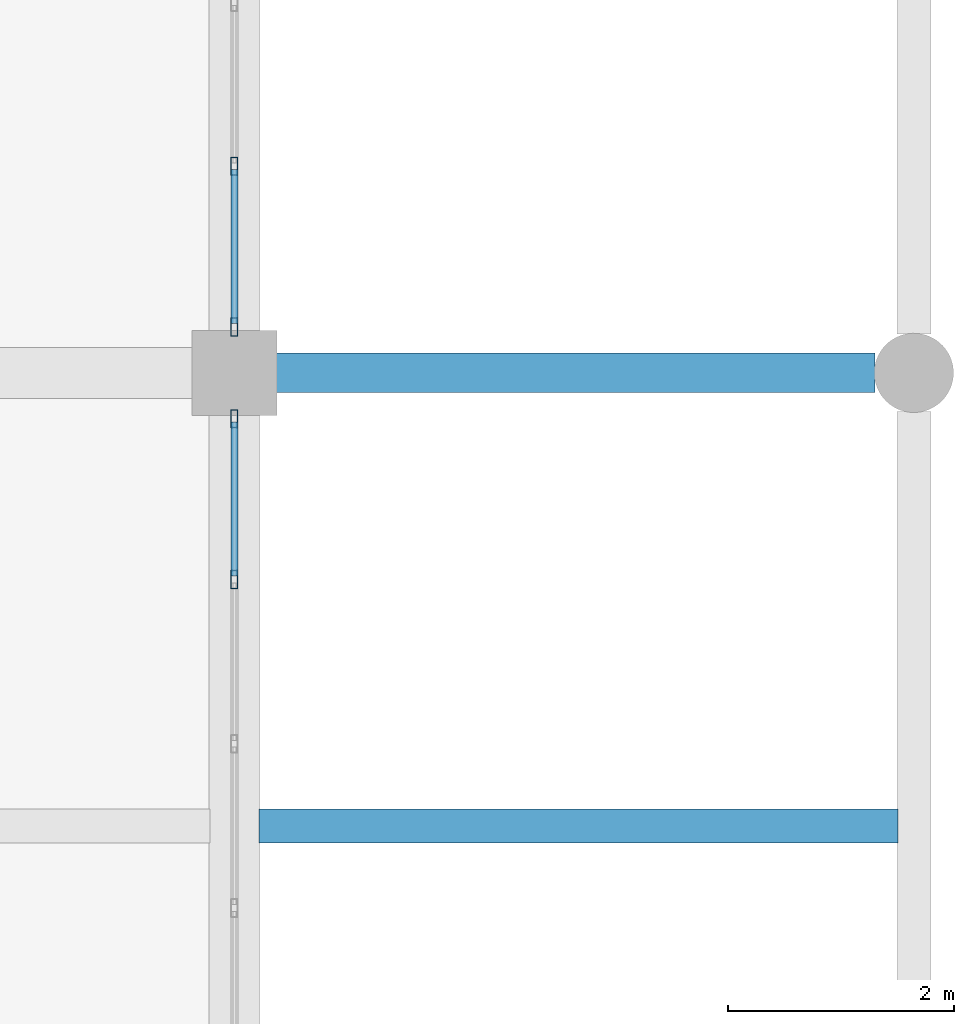
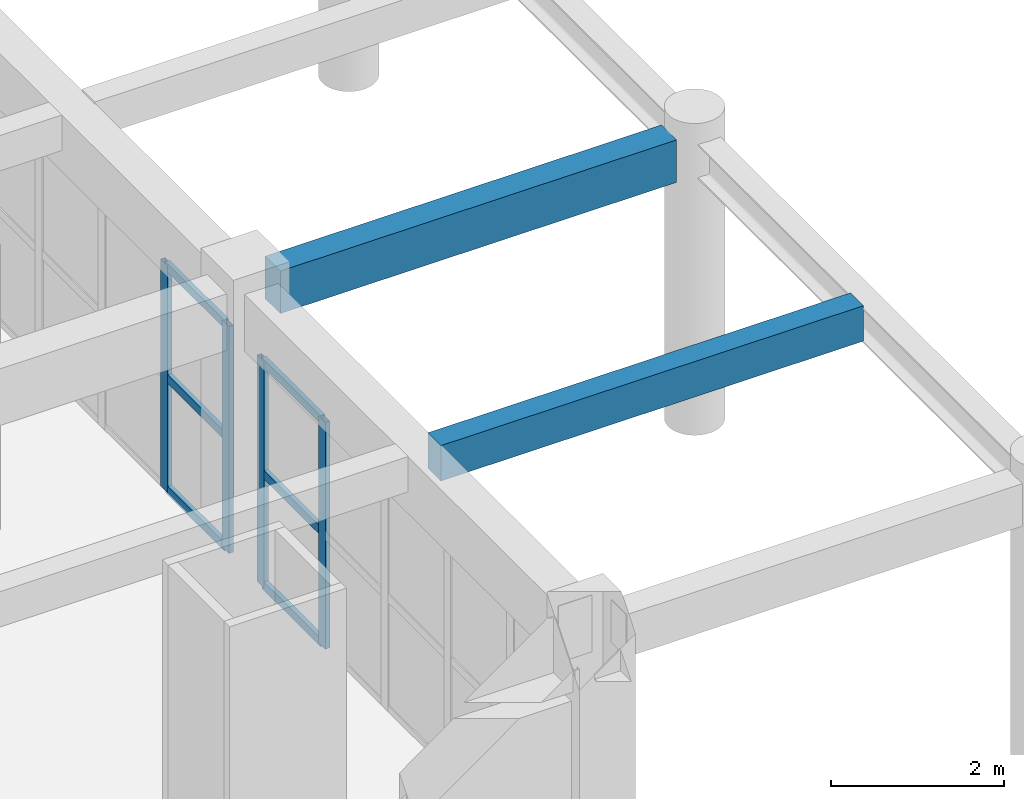
# One storey, part 57 of 116: 10 members, 2 beams, 2 elements without a shape of their own.
"""IFC4 building model written with IfcOpenShell, lengths in metres."""

from ifc_helpers import new_model, si_unit, direction, frame, origin, origin_2d, place, context, subcontext, project, spatial, rectangle, hollow_rectangle, extrude, material, layer, layer_set, material_profile, profile_set, type_object, element, aggregate, save


model = new_model("IFC4")

# Units and contexts
model_context = context("Model", 3, precision=1e-05, world=origin(), true_north=direction((0.0, 1.0)))
body_context = subcontext(model_context, "Body", "Model", "MODEL_VIEW")
ifc_project = project(units=[si_unit("LENGTHUNIT", "METRE"), si_unit("AREAUNIT", "SQUARE_METRE"), si_unit("VOLUMEUNIT", "CUBIC_METRE"), si_unit("PLANEANGLEUNIT", "RADIAN"), si_unit("MASSUNIT", "GRAM", prefix="KILO")], contexts=[model_context])

# Site, building, storey
site_placement = place(None, origin())
site = spatial("IfcSite", under=ifc_project, at=site_placement, CompositionType="ELEMENT")
building_placement = place(site_placement, origin())
building = spatial("IfcBuilding", under=site, at=building_placement, Name="Muzn Square Opera House", CompositionType="ELEMENT")
storey_placement = place(building_placement, frame((0.0, 0.0, 5.39990234375)))
storey = spatial("IfcBuildingStorey", under=building, at=storey_placement, Name="L01", CompositionType="ELEMENT", Elevation=5.39990234375)

# Curtain wall, members
ifc_material_1 = material(Name="Low-E laminated acoustic double glazing", Category="glass")
ifc_layer = layer(ifc_material_1, 0.159912109375, Name="Low-E laminated acoustic double glazing", Category="glass")
ifc_layer_set = layer_set([ifc_layer], Name="Low-E laminated acoustic double glazing")
curtain_wall_type = type_object("IfcCurtainWallType", Name="Glazed Curtain Wall EastBlvd 7250x3200", PredefinedType="USERDEFINED", material=ifc_layer_set)
curtain_wall_1_placement = place(storey_placement, origin())
curtain_wall_1 = element("IfcCurtainWall", 1, at=curtain_wall_1_placement, inside=storey, type_object=curtain_wall_type, Name="Glazed Curtain Wall CW-L01-112", ObjectType="GLAZED CURTAIN WALL", PredefinedType="USERDEFINED")
ifc_material_2 = material(Name="Anodised bronze aluminium 6063-T6", Category="metal")
ifc_material_profile_1 = material_profile(ifc_material_2, hollow_rectangle(XDim=0.06005859375, YDim=0.159912109375, WallThickness=0.00390625, at=origin_2d()), Name="ALU 160x60x4", Category="metal")
ifc_profile_set_1 = profile_set([ifc_material_profile_1], Name="Anodised bronze aluminium 6063-T6")
member_type_1 = type_object("IfcMemberType", Name="Curtain Wall Mullion 160x60", PredefinedType="MULLION", material=ifc_profile_set_1)
member_1_placement = place(storey_placement, frame((170.0, 12.175048828125, 0.0), z_axis=(0.0, 0.0, 1.0), x_axis=(-1.0, 0.0, 0.0)))
member_1 = element("IfcMember", 2, at=member_1_placement, type_object=member_type_1, Name="CW-EBL-72x32 mullion 5", PredefinedType="MULLION", context=body_context, shape_type="SweptSolid", body=[
    extrude(hollow_rectangle(XDim=0.06005859375, YDim=0.159912109375, WallThickness=0.00390625, at=origin_2d()), origin(), (0.0, 0.0, 1.0), 3.2001953125),
])
member_2_placement = place(storey_placement, frame((170.0, 13.594970703125, 0.0), z_axis=(0.0, 0.0, 1.0), x_axis=(-1.0, 0.0, 0.0)))
member_2 = element("IfcMember", 3, at=member_2_placement, type_object=member_type_1, Name="CW-EBL-72x32 mullion 6", PredefinedType="MULLION", context=body_context, shape_type="SweptSolid", body=[
    extrude(hollow_rectangle(XDim=0.06005859375, YDim=0.159912109375, WallThickness=0.00390625, at=origin_2d()), origin(), (0.0, 0.0, 1.0), 3.2001953125),
])

curtain_wall_2_placement = place(storey_placement, origin())
curtain_wall_2 = element("IfcCurtainWall", 4, at=curtain_wall_2_placement, inside=storey, type_object=curtain_wall_type, Name="Glazed Curtain Wall CW-L01-113", ObjectType="GLAZED CURTAIN WALL", PredefinedType="USERDEFINED")
member_3_placement = place(storey_placement, frame((170.0, 14.405029296875, 0.0), z_axis=(0.0, 0.0, 1.0), x_axis=(-1.0, 0.0, 0.0)))
member_3 = element("IfcMember", 5, at=member_3_placement, type_object=member_type_1, Name="CW-EBL-72x32 mullion 1", PredefinedType="MULLION", context=body_context, shape_type="SweptSolid", body=[
    extrude(hollow_rectangle(XDim=0.06005859375, YDim=0.159912109375, WallThickness=0.00390625, at=origin_2d()), origin(), (0.0, 0.0, 1.0), 3.2001953125),
])
member_4_placement = place(storey_placement, frame((170.0, 15.824951171875, 0.0), z_axis=(0.0, 0.0, 1.0), x_axis=(-1.0, 0.0, 0.0)))
member_4 = element("IfcMember", 6, at=member_4_placement, type_object=member_type_1, Name="CW-EBL-72x32 mullion 2", PredefinedType="MULLION", context=body_context, shape_type="SweptSolid", body=[
    extrude(hollow_rectangle(XDim=0.06005859375, YDim=0.159912109375, WallThickness=0.00390625, at=origin_2d()), origin(), (0.0, 0.0, 1.0), 3.2001953125),
])

# Member
ifc_material_profile_2 = material_profile(ifc_material_2, hollow_rectangle(XDim=0.06005859375, YDim=0.1201171875, WallThickness=0.00390625, at=origin_2d()), Name="ALU 120x60x4", Category="metal")
ifc_profile_set_2 = profile_set([ifc_material_profile_2], Name="Anodised bronze aluminium 6063-T6")
member_type_2 = type_object("IfcMemberType", Name="Curtain Wall Transom 120x60", PredefinedType="USERDEFINED", material=ifc_profile_set_2)
member_5_placement = place(storey_placement, frame((170.0, 12.205078125, 0.030029296875), z_axis=(0.0, 1.0, 0.0), x_axis=(-1.0, 0.0, 0.0)))
member_5 = element("IfcMember", 7, at=member_5_placement, type_object=member_type_2, Name="CW-EBL-72x32 transom 5.1", ObjectType="TRANSOM", PredefinedType="USERDEFINED", context=body_context, shape_type="SweptSolid", body=[
    extrude(hollow_rectangle(XDim=0.06005859375, YDim=0.1201171875, WallThickness=0.00390625, at=origin_2d()), origin(), (0.0, 0.0, 1.0), 1.35986328125),
])

member_6_placement = place(storey_placement, frame((170.0, 12.205078125, 1.60009765625), z_axis=(0.0, 1.0, 0.0), x_axis=(-1.0, 0.0, 0.0)))
member_6 = element("IfcMember", 8, at=member_6_placement, type_object=member_type_2, Name="CW-EBL-72x32 transom 5.2", ObjectType="TRANSOM", PredefinedType="USERDEFINED", context=body_context, shape_type="SweptSolid", body=[
    extrude(hollow_rectangle(XDim=0.06005859375, YDim=0.1201171875, WallThickness=0.00390625, at=origin_2d()), origin(), (0.0, 0.0, 1.0), 1.35986328125),
])

member_7_placement = place(storey_placement, frame((170.0, 12.205078125, 3.170166015625), z_axis=(0.0, 1.0, 0.0), x_axis=(-1.0, 0.0, 0.0)))
member_7 = element("IfcMember", 9, at=member_7_placement, type_object=member_type_2, Name="CW-EBL-72x32 transom 5.3", ObjectType="TRANSOM", PredefinedType="USERDEFINED", context=body_context, shape_type="SweptSolid", body=[
    extrude(hollow_rectangle(XDim=0.06005859375, YDim=0.1201171875, WallThickness=0.00390625, at=origin_2d()), origin(), (0.0, 0.0, 1.0), 1.35986328125),
])

aggregate(curtain_wall_1, [member_1, member_2, member_5, member_6, member_7])

member_8_placement = place(storey_placement, frame((170.0, 14.43505859375, 0.030029296875), z_axis=(0.0, 1.0, 0.0), x_axis=(-1.0, 0.0, 0.0)))
member_8 = element("IfcMember", 10, at=member_8_placement, type_object=member_type_2, Name="CW-EBL-72x32 transom 1.1", ObjectType="TRANSOM", PredefinedType="USERDEFINED", context=body_context, shape_type="SweptSolid", body=[
    extrude(hollow_rectangle(XDim=0.06005859375, YDim=0.1201171875, WallThickness=0.00390625, at=origin_2d()), origin(), (0.0, 0.0, 1.0), 1.35986328125),
])

member_9_placement = place(storey_placement, frame((170.0, 14.43505859375, 1.60009765625), z_axis=(0.0, 1.0, 0.0), x_axis=(-1.0, 0.0, 0.0)))
member_9 = element("IfcMember", 11, at=member_9_placement, type_object=member_type_2, Name="CW-EBL-72x32 transom 1.2", ObjectType="TRANSOM", PredefinedType="USERDEFINED", context=body_context, shape_type="SweptSolid", body=[
    extrude(hollow_rectangle(XDim=0.06005859375, YDim=0.1201171875, WallThickness=0.00390625, at=origin_2d()), origin(), (0.0, 0.0, 1.0), 1.35986328125),
])

member_10_placement = place(storey_placement, frame((170.0, 14.43505859375, 3.170166015625), z_axis=(0.0, 1.0, 0.0), x_axis=(-1.0, 0.0, 0.0)))
member_10 = element("IfcMember", 12, at=member_10_placement, type_object=member_type_2, Name="CW-EBL-72x32 transom 1.3", ObjectType="TRANSOM", PredefinedType="USERDEFINED", context=body_context, shape_type="SweptSolid", body=[
    extrude(hollow_rectangle(XDim=0.06005859375, YDim=0.1201171875, WallThickness=0.00390625, at=origin_2d()), origin(), (0.0, 0.0, 1.0), 1.35986328125),
])

aggregate(curtain_wall_2, [member_3, member_4, member_8, member_9, member_10])

# Beams
ifc_material_3 = material(Name="Concrete C40/50", Category="concrete")
ifc_material_profile_3 = material_profile(ifc_material_3, rectangle(XDim=0.300048828125, YDim=0.5, at=origin_2d()), Name="RCJ 300x500", Category="concrete")
ifc_profile_set_3 = profile_set([ifc_material_profile_3], Name="Concrete C40/50")
beam_type_1 = type_object("IfcBeamType", Name="Floor Joist 300x500", PredefinedType="JOIST", material=ifc_profile_set_3)
beam_1_placement = place(storey_placement, frame((170.217041015625, 10.0, 3.900146484375), z_axis=(1.0, 0.0, 0.0), x_axis=(0.0, 1.0, 0.0)))
element("IfcBeam", 13, at=beam_1_placement, inside=storey, type_object=beam_type_1, Name="Floor Joist BM-L01-BM-J500-1702_100_1759_100-1932", PredefinedType="JOIST", context=body_context, shape_type="SweptSolid", body=[
    extrude(rectangle(XDim=0.300048828125, YDim=0.5, at=origin_2d()), origin(), (0.0, 0.0, 1.0), 5.640869140625),
])
ifc_material_profile_4 = material_profile(ifc_material_3, rectangle(XDim=0.35009765625, YDim=0.60009765625, at=origin_2d()), Name="RCB 350x600", Category="concrete")
ifc_profile_set_4 = profile_set([ifc_material_profile_4], Name="Concrete C40/50")
beam_type_2 = type_object("IfcBeamType", Name="Primary Girder 350x600", PredefinedType="BEAM", material=ifc_profile_set_4)
beam_2_placement = place(storey_placement, frame((170.366943359375, 14.0, 3.85009765625), z_axis=(1.0, 0.0, 0.0), x_axis=(0.0, 1.0, 0.0)))
element("IfcBeam", 14, at=beam_2_placement, inside=storey, type_object=beam_type_2, Name="Primary Girder BM-L01-BM-PG600-1704_140_1757_140-1274", PredefinedType="BEAM", context=body_context, shape_type="SweptSolid", body=[
    extrude(rectangle(XDim=0.35009765625, YDim=0.60009765625, at=origin_2d()), origin(), (0.0, 0.0, 1.0), 5.291015625),
])

save(model, "model.ifc")
